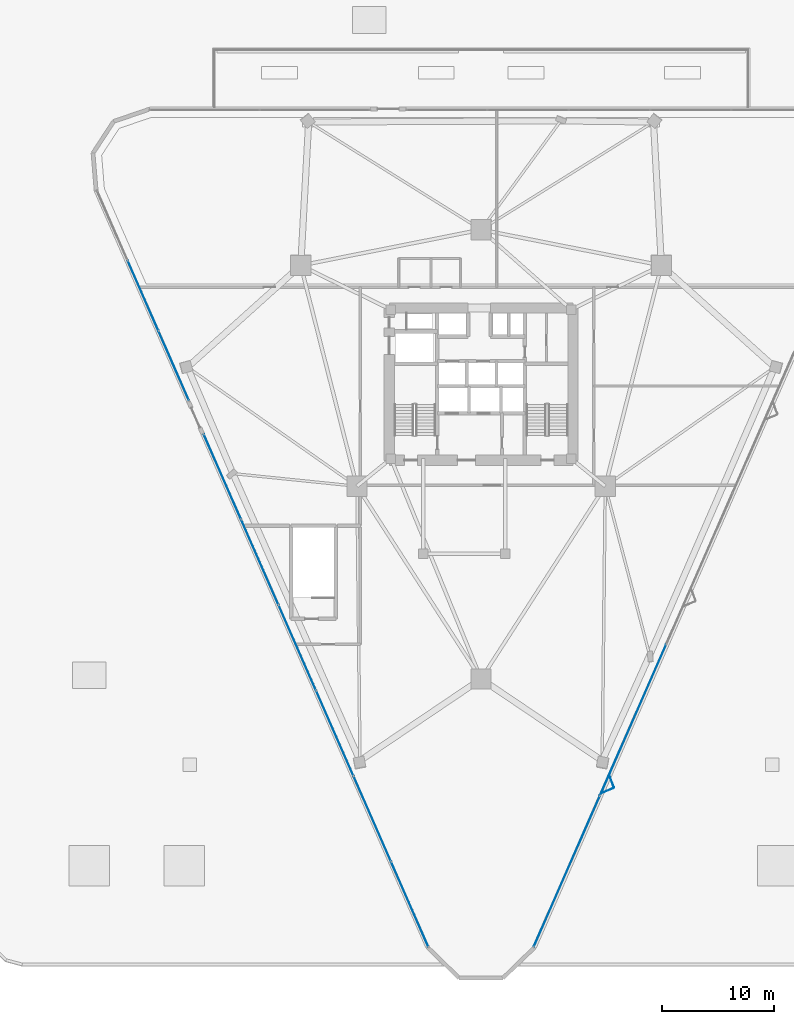
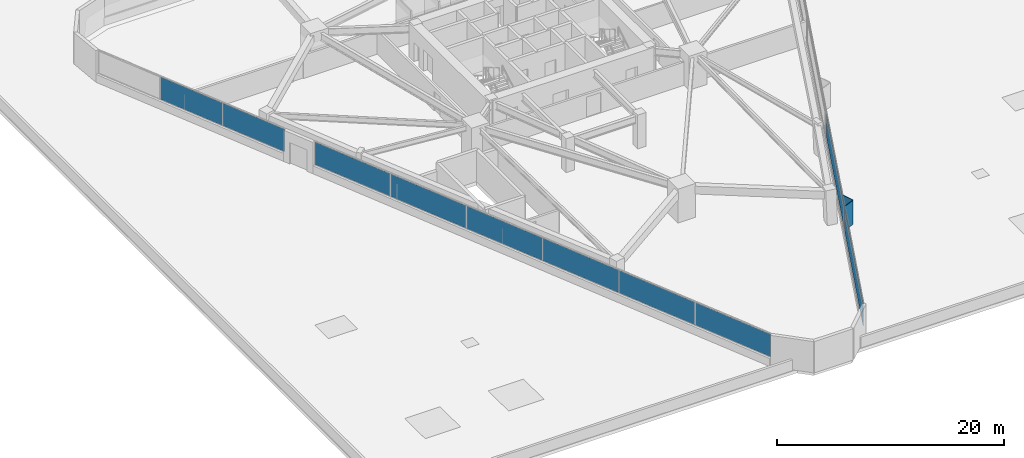
# One storey, part 12 of 21: 12 plates, 3 elements without a shape of their own.
"""IFC4 building model written with IfcOpenShell, lengths in metres."""

from ifc_helpers import new_model, si_unit, direction, frame, origin, origin_2d, place, context, subcontext, project, spatial, rectangle, extrude, material, layer, layer_set, type_object, element, aggregate, save


model = new_model("IFC4")

# Units and contexts
model_context = context("Model", 3, precision=1e-05, world=origin(), true_north=direction((0.0, 1.0)))
body_context = subcontext(model_context, "Body", "Model", "MODEL_VIEW")
ifc_project = project(units=[si_unit("LENGTHUNIT", "METRE"), si_unit("AREAUNIT", "SQUARE_METRE"), si_unit("VOLUMEUNIT", "CUBIC_METRE"), si_unit("PLANEANGLEUNIT", "RADIAN"), si_unit("MASSUNIT", "GRAM", prefix="KILO")], contexts=[model_context])

# Site, building, storey
site_placement = place(None, origin())
site = spatial("IfcSite", under=ifc_project, at=site_placement, CompositionType="ELEMENT")
building_placement = place(site_placement, origin())
building = spatial("IfcBuilding", under=site, at=building_placement, Name="Talyreon Biosciences Tower", CompositionType="ELEMENT")
storey_placement = place(building_placement, frame((0.0, 0.0, 22.800048828125)))
storey = spatial("IfcBuildingStorey", under=building, at=storey_placement, Name="L05", CompositionType="ELEMENT", Elevation=22.800048828125)

# Curtain wall, plates
ifc_material_1 = material(Name="Thermally broken aluminium and low-E glazing", Category="aluminium")
ifc_layer_1 = layer(ifc_material_1, 0.195068359375)
ifc_layer_set_1 = layer_set([ifc_layer_1], Name="Thermally broken aluminium and low-E glazing")
curtain_wall_type = type_object("IfcCurtainWallType", Name="CurtainWall_Zone1WetLab", PredefinedType="NOTDEFINED", material=ifc_layer_set_1)
curtain_wall_1_placement = place(storey_placement, origin())
curtain_wall_1 = element("IfcCurtainWall", 1, at=curtain_wall_1_placement, inside=storey, type_object=curtain_wall_type, Name="L05 Unitised Curtain Wall FCW-L05-00A", PredefinedType="NOTDEFINED")
ifc_material_2 = material(Name="Triple-silver low-E insulated glazing", Category="glass")
ifc_layer_2 = layer(ifc_material_2, 0.031982421875)
ifc_layer_set_2 = layer_set([ifc_layer_2], Name="Triple-silver low-E insulated glazing")
plate_type_1 = type_object("IfcPlateType", Name="CWGlazingPanel_32", PredefinedType="CURTAIN_PANEL", material=ifc_layer_set_2)
plate_1_placement = place(storey_placement, frame((59.630126953125, 21.556396484375, 0.875), z_axis=(0.0, 0.0, 1.0), x_axis=(-0.401344752253, 0.915927065786, 0.0)))
plate_1 = element("IfcPlate", 2, at=plate_1_placement, type_object=plate_type_1, Name="CW2 panel 1.1", PredefinedType="CURTAIN_PANEL", context=body_context, shape_type="SweptSolid", body=[
    extrude(rectangle(XDim=8.24365234375, YDim=0.031982421875, at=origin_2d()), origin(), (0.0, 0.0, 1.0), 2.43505859375),
])
plate_2_placement = place(storey_placement, frame((56.2890625, 29.181396484375, 0.875), z_axis=(0.0, 0.0, 1.0), x_axis=(-0.401344752253, 0.915927065786, 0.0)))
plate_2 = element("IfcPlate", 3, at=plate_2_placement, type_object=plate_type_1, Name="CW2 panel 2.1", PredefinedType="CURTAIN_PANEL", context=body_context, shape_type="SweptSolid", body=[
    extrude(rectangle(XDim=8.276123046875, YDim=0.031982421875, at=origin_2d()), origin(), (0.0, 0.0, 1.0), 2.43505859375),
])
plate_3_placement = place(storey_placement, frame((52.94140625, 36.8212890625, 0.875), z_axis=(0.0, 0.0, 1.0), x_axis=(-0.401344752253, 0.915927065786, 0.0)))
plate_3 = element("IfcPlate", 4, at=plate_3_placement, type_object=plate_type_1, Name="CW2 panel 3.1", PredefinedType="CURTAIN_PANEL", context=body_context, shape_type="SweptSolid", body=[
    extrude(rectangle(XDim=8.276123046875, YDim=0.031982421875, at=origin_2d()), origin(), (0.0, 0.0, 1.0), 2.43505859375),
])
plate_4_placement = place(storey_placement, frame((49.593505859375, 44.461181640625, 0.875), z_axis=(0.0, 0.0, 1.0), x_axis=(-0.401344752253, 0.915927065786, 0.0)))
plate_4 = element("IfcPlate", 5, at=plate_4_placement, type_object=plate_type_1, Name="CW2 panel 4.1", PredefinedType="CURTAIN_PANEL", context=body_context, shape_type="SweptSolid", body=[
    extrude(rectangle(XDim=8.276123046875, YDim=0.031982421875, at=origin_2d()), origin(), (0.0, 0.0, 1.0), 2.43505859375),
])
plate_5_placement = place(storey_placement, frame((46.245849609375, 52.10107421875, 0.875), z_axis=(0.0, 0.0, 1.0), x_axis=(-0.401344752253, 0.915927065786, 0.0)))
plate_5 = element("IfcPlate", 6, at=plate_5_placement, type_object=plate_type_1, Name="CW2 panel 5.1", PredefinedType="CURTAIN_PANEL", context=body_context, shape_type="SweptSolid", body=[
    extrude(rectangle(XDim=8.276123046875, YDim=0.031982421875, at=origin_2d()), origin(), (0.0, 0.0, 1.0), 2.43505859375),
])
plate_6_placement = place(storey_placement, frame((42.90478515625, 59.72607421875, 0.875), z_axis=(0.0, 0.0, 1.0), x_axis=(-0.401344752253, 0.915927065786, 0.0)))
plate_6 = element("IfcPlate", 7, at=plate_6_placement, type_object=plate_type_1, Name="CW2 panel 6.1", PredefinedType="CURTAIN_PANEL", context=body_context, shape_type="SweptSolid", body=[
    extrude(rectangle(XDim=8.24365234375, YDim=0.031982421875, at=origin_2d()), origin(), (0.0, 0.0, 1.0), 2.43505859375),
])
aggregate(curtain_wall_1, [plate_1, plate_2, plate_3, plate_4, plate_5, plate_6])

curtain_wall_2_placement = place(storey_placement, origin())
curtain_wall_2 = element("IfcCurtainWall", 8, at=curtain_wall_2_placement, inside=storey, type_object=curtain_wall_type, Name="L05 Unitised Curtain Wall FCW-L05-00B", PredefinedType="NOTDEFINED")
plate_7_placement = place(storey_placement, frame((38.56005859375, 69.641357421875, 0.875), z_axis=(0.0, 0.0, 1.0), x_axis=(-0.401346835636, 0.915926152878, 0.0)))
plate_7 = element("IfcPlate", 9, at=plate_7_placement, type_object=plate_type_1, Name="CW2 panel 1.1", PredefinedType="CURTAIN_PANEL", context=body_context, shape_type="SweptSolid", body=[
    extrude(rectangle(XDim=6.7470703125, YDim=0.031982421875, at=origin_2d()), origin(), (0.0, 0.0, 1.0), 2.43505859375),
])
plate_8_placement = place(storey_placement, frame((35.819580078125, 75.895751953125, 0.875), z_axis=(0.0, 0.0, 1.0), x_axis=(-0.401346835636, 0.915926152878, 0.0)))
plate_8 = element("IfcPlate", 10, at=plate_8_placement, type_object=plate_type_1, Name="CW2 panel 2.1", PredefinedType="CURTAIN_PANEL", context=body_context, shape_type="SweptSolid", body=[
    extrude(rectangle(XDim=6.779541015625, YDim=0.031982421875, at=origin_2d()), origin(), (0.0, 0.0, 1.0), 2.43505859375),
])
aggregate(curtain_wall_2, [plate_7, plate_8])

curtain_wall_3_placement = place(storey_placement, origin())
curtain_wall_3 = element("IfcCurtainWall", 11, at=curtain_wall_3_placement, inside=storey, type_object=curtain_wall_type, Name="L05 Unitised Curtain Wall FCW-L05-08", PredefinedType="NOTDEFINED")
plate_9_placement = place(storey_placement, frame((79.572998046875, 37.994873046875, 0.875), z_axis=(0.0, 0.0, 1.0), x_axis=(-0.401345129249, -0.915926900592, 0.0)))
plate_9 = element("IfcPlate", 12, at=plate_9_placement, type_object=plate_type_1, Name="CW2 panel 4.1", PredefinedType="CURTAIN_PANEL", context=body_context, shape_type="SweptSolid", body=[
    extrude(rectangle(XDim=14.691162109375, YDim=0.031982421875, at=origin_2d()), origin(), (0.0, 0.0, 1.0), 2.43505859375),
])
plate_10_placement = place(storey_placement, frame((73.6572265625, 24.494140625, 0.875), z_axis=(0.0, 0.0, 1.0), x_axis=(-0.401345129249, -0.915926900592, 0.0)))
plate_10 = element("IfcPlate", 13, at=plate_10_placement, type_object=plate_type_1, Name="CW2 panel 5.1", PredefinedType="CURTAIN_PANEL", context=body_context, shape_type="SweptSolid", body=[
    extrude(rectangle(XDim=14.65869140625, YDim=0.031982421875, at=origin_2d()), origin(), (0.0, 0.0, 1.0), 2.43505859375),
])
aggregate(curtain_wall_3, [plate_9, plate_10])

# Plates
ifc_material_3 = material(Name="Ivory GFRC sunshade panel", Category="concrete")
ifc_layer_3 = layer(ifc_material_3, 0.044921875)
ifc_layer_set_3 = layer_set([ifc_layer_3], Name="Ivory GFRC sunshade panel")
plate_type_2 = type_object("IfcPlateType", Name="FoldedVSunshade_SunFace_SUNSHADE", PredefinedType="USERDEFINED", material=ifc_layer_set_3)
for number, where, z_axis, x_axis, name in (
    (14, (77.658935546875, 32.5302734375, 0.7900390625), (0.0, 0.0, 1.0), (0.347557606722, -0.937658631918, 0.0), "L05 Folded V-Sunshade Panel 08.04L"),
    (15, (77.297607421875, 31.7060546875, 0.7900390625), (0.0, 0.0, 1.0), (-0.924957850064, -0.380069698351, 0.0), "L05 Folded V-Sunshade Panel 08.04R"),
):
    element("IfcPlate", number, at=place(storey_placement, frame(where, z_axis=z_axis, x_axis=x_axis)), inside=storey, type_object=plate_type_2, Name=name, ObjectType="SUNSHADE", PredefinedType="USERDEFINED", context=body_context, shape_type="SweptSolid", body=[
        extrude(rectangle(XDim=1.14990234375, YDim=0.044921875, at=origin_2d()), origin(), (0.0, 0.0, 1.0), 2.5849609375),
    ])

save(model, "model.ifc")
